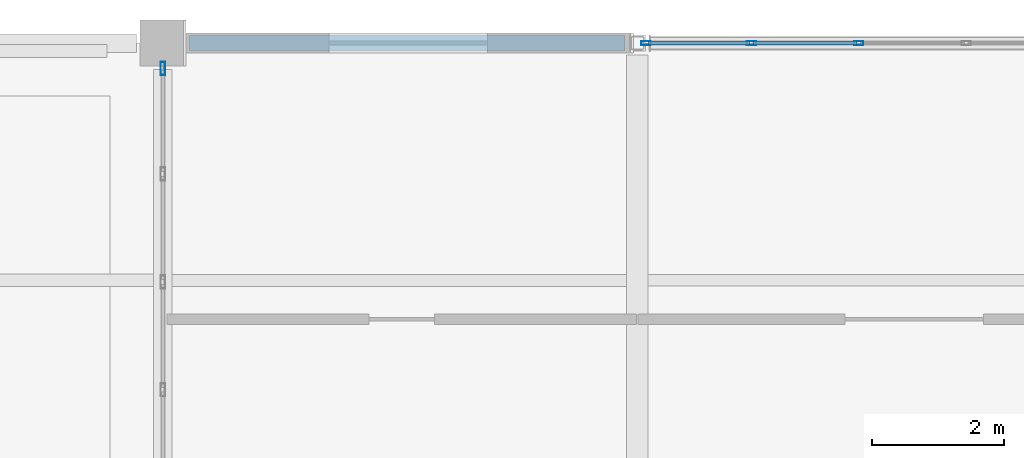
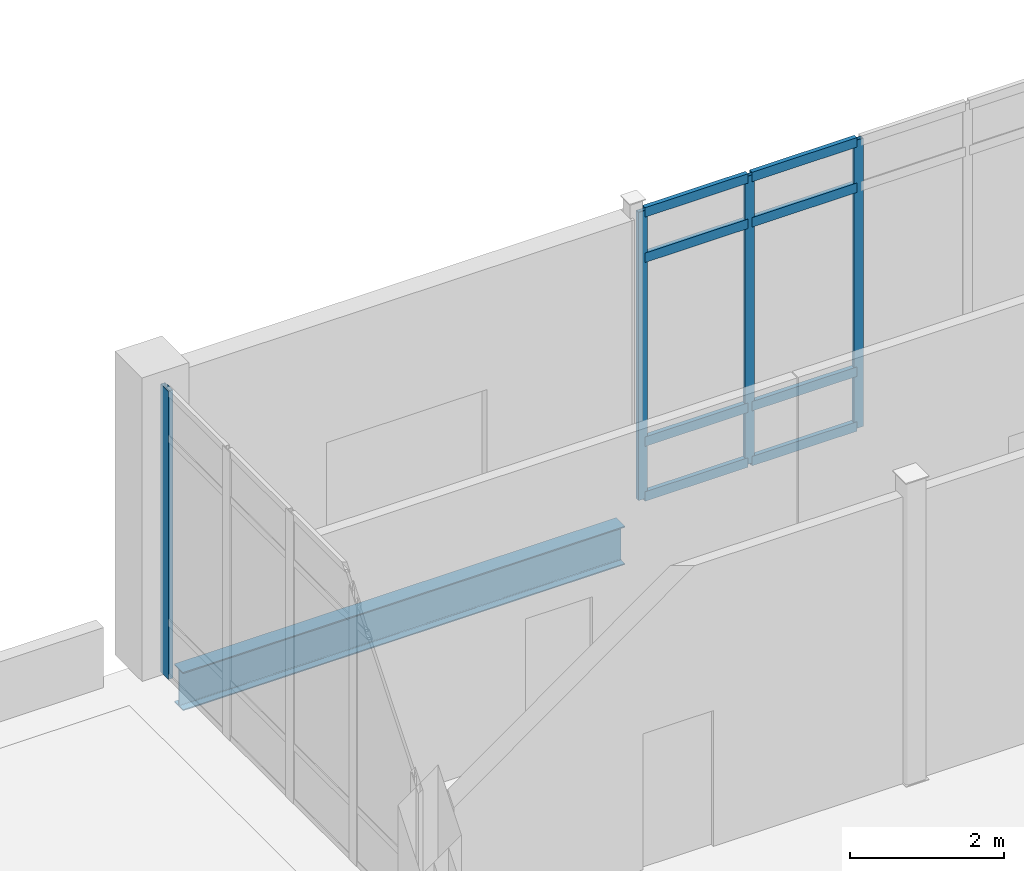
# One storey, part 61 of 153: 12 members, 1 beam, 2 elements without a shape of their own.
"""IFC4 building model written with IfcOpenShell, lengths in metres."""

import ifcopenshell
import ifcopenshell.guid

model = None  # the IFC model being written
_history = None  # IfcOwnerHistory: only IFC2X3 demands one
_inside = {}  # id of a spatial element -> (the spatial element, [elements in it])
_under = {}  # id of a project, library or spatial element -> (it, [spatial elements below it])
_declared = {}  # id of a project -> (the project, [libraries it declares])
_typed = {}  # id of a type object -> (the type object, [elements of that type])
_made_of = {}  # id of a material, layer set ... -> (it, [elements and type objects made of it])


def new_model(schema):
    """Start an empty IFC model of exactly this schema.

    Asked for "IFC4X3", IfcOpenShell would pick the latest addendum, in which some entities
    have other attributes; the version numbers below select the first issue.
    IFC2X3 requires an IfcOwnerHistory on every rooted entity: one is made here for all.
    """
    global model, _history
    if schema == "IFC4X3":
        model = ifcopenshell.file(schema_version=(4, 3, 0, 0))
    else:
        model = ifcopenshell.file(schema=schema)
    _inside.clear()
    _under.clear()
    _declared.clear()
    _typed.clear()
    _made_of.clear()
    _history = None
    if model.schema == "IFC2X3":
        org = make("IfcOrganization", Name="unknown")
        user = make(
            "IfcPersonAndOrganization",
            ThePerson=make("IfcPerson", FamilyName="unknown"),
            TheOrganization=org,
        )
        app = make(
            "IfcApplication",
            ApplicationDeveloper=org,
            Version="unknown",
            ApplicationFullName="unknown",
            ApplicationIdentifier="unknown",
        )
        _history = make(
            "IfcOwnerHistory",
            OwningUser=user,
            OwningApplication=app,
            ChangeAction="ADDED",
            CreationDate=0,
        )
    return model


def make(cls, **values):
    """One entity of the class cls with the attributes given. An attribute that is None is left unset."""
    return model.create_entity(
        cls, **{name: value for name, value in values.items() if value is not None}
    )


def rooted(cls, **values):
    """An entity with a GlobalId (a new one), such as an element, a storey or a relation."""
    return make(cls, GlobalId=ifcopenshell.guid.new(), OwnerHistory=_history, **values)


def si_unit(unit_type, name, prefix=None):
    """IfcSIUnit, for example si_unit("LENGTHUNIT", "METRE", prefix="MILLI")."""
    return make("IfcSIUnit", UnitType=unit_type, Prefix=prefix, Name=name)


def assignment(units):
    """IfcUnitAssignment: the units of a project."""
    return None if units is None else make("IfcUnitAssignment", Units=units)


def point(xyz):
    """IfcCartesianPoint."""
    return None if xyz is None else make("IfcCartesianPoint", Coordinates=xyz)


def direction(xyz):
    """IfcDirection."""
    return None if xyz is None else make("IfcDirection", DirectionRatios=xyz)


def frame(location, z_axis=None, x_axis=None):
    """IfcAxis2Placement3D, a coordinate frame: its origin and axes. An axis left out is left unset."""
    return make(
        "IfcAxis2Placement3D",
        Location=point(location),
        Axis=direction(z_axis),
        RefDirection=direction(x_axis),
    )


def frame_2d(location, x_axis=None):
    """IfcAxis2Placement2D, a coordinate frame in the plane: its origin and x axis."""
    return make(
        "IfcAxis2Placement2D", Location=point(location), RefDirection=direction(x_axis)
    )


def origin():
    """The frame at (0, 0, 0) with its axes left unset."""
    return frame((0.0, 0.0, 0.0))


def origin_2d():
    """The frame at (0, 0) in the plane with its x axis left unset."""
    return frame_2d((0.0, 0.0))


def place(relative_to, where):
    """IfcLocalPlacement: puts the frame where relative to a parent placement (None: the world)."""
    return make(
        "IfcLocalPlacement", PlacementRelTo=relative_to, RelativePlacement=where
    )


def context(
    kind, dimensions, precision=None, world=None, true_north=None, identifier=None
):
    """IfcGeometricRepresentationContext, for example the 3D "Model" context."""
    return make(
        "IfcGeometricRepresentationContext",
        ContextIdentifier=identifier,
        ContextType=kind,
        CoordinateSpaceDimension=dimensions,
        Precision=precision,
        WorldCoordinateSystem=world,
        TrueNorth=true_north,
    )


def subcontext(parent, identifier, kind, view, scale=None):
    """IfcGeometricRepresentationSubContext, for example "Body" below "Model"."""
    return make(
        "IfcGeometricRepresentationSubContext",
        ContextIdentifier=identifier,
        ContextType=kind,
        ParentContext=parent,
        TargetScale=scale,
        TargetView=view,
    )


def project(units=None, contexts=None):
    """IfcProject with its units and contexts."""
    return rooted(
        "IfcProject",
        Name="project",
        RepresentationContexts=contexts,
        UnitsInContext=assignment(units),
    )


def spatial(cls, under=None, at=None, **own):
    """A site, building, storey or space (cls), placed at a placement, below another one or the project."""
    s = rooted(cls, ObjectPlacement=at, **own)
    if under is not None:
        _under.setdefault(under.id(), (under, []))[1].append(s)
    return s


def profile(cls, at=None, kind="AREA", **sizes):
    """A parametric profile (cls). Its sizes go by their IFC names, for example OverallWidth=200.0."""
    return make(cls, ProfileType=kind, Position=at, **sizes)


def hollow_rectangle(**sizes):
    """IfcRectangleHollowProfileDef."""
    return profile("IfcRectangleHollowProfileDef", **sizes)


def i_section(**sizes):
    """IfcIShapeProfileDef."""
    return profile("IfcIShapeProfileDef", **sizes)


def extrude(swept, where, along, depth):
    """IfcExtrudedAreaSolid: the profile swept, set in the frame where, extruded along a direction by depth."""
    return make(
        "IfcExtrudedAreaSolid",
        SweptArea=swept,
        Position=where,
        ExtrudedDirection=direction(along),
        Depth=depth,
    )


def shape(context_of_items, identifier, shape_type, items):
    """IfcShapeRepresentation: the items that make up one representation, for example the "Body"."""
    return make(
        "IfcShapeRepresentation",
        ContextOfItems=context_of_items,
        RepresentationIdentifier=identifier,
        RepresentationType=shape_type,
        Items=items,
    )


def material(Name=None, Category=None):
    """IfcMaterial."""
    return make("IfcMaterial", Name=Name, Category=Category)


def layer(
    of_material, thickness, ventilated=None, Name=None, Category=None, Priority=None
):
    """IfcMaterialLayer: one layer of a wall or slab, of a material (None: an air gap)."""
    return make(
        "IfcMaterialLayer",
        Material=of_material,
        LayerThickness=thickness,
        IsVentilated=ventilated,
        Name=Name,
        Category=Category,
        Priority=Priority,
    )


def layer_set(layers, Name=None):
    """IfcMaterialLayerSet."""
    return make("IfcMaterialLayerSet", MaterialLayers=layers, LayerSetName=Name)


def material_profile(
    of_material, cross_section, Name=None, Category=None, Priority=None
):
    """IfcMaterialProfile: a cross section and its material."""
    return make(
        "IfcMaterialProfile",
        Name=Name,
        Material=of_material,
        Profile=cross_section,
        Priority=Priority,
        Category=Category,
    )


def profile_set(profiles, Name=None, composite=None):
    """IfcMaterialProfileSet."""
    return make(
        "IfcMaterialProfileSet",
        Name=Name,
        MaterialProfiles=profiles,
        CompositeProfile=composite,
    )


def made_of(thing, what):
    """Note that an element or type object is made of a material, layer set ...; save() writes the relation."""
    if what is not None:
        _made_of.setdefault(what.id(), (what, []))[1].append(thing)
    return thing


def type_object(cls, material=None, **own):
    """A type object (cls), such as IfcWallType, which elements share."""
    return made_of(rooted(cls, **own), material)


def element(
    cls,
    number,
    at=None,
    inside=None,
    cuts=None,
    type_object=None,
    material=None,
    context=None,
    identifier="Body",
    shape_type=None,
    held_by="IfcProductDefinitionShape",
    body=None,
    shapes=None,
    **own,
):
    """One element of the class cls, such as IfcWall. Its Tag is "e" and its number.

    at: its placement. inside: the storey or other place that contains it. cuts: it is an
    opening in that element (IfcRelVoidsElement). A single representation is given by context,
    identifier, shape_type and body (its items); several are given by shapes. held_by: the class
    of the entity that holds the representations. save() writes the other relations.
    """
    e = rooted(cls, Tag="e%d" % number, ObjectPlacement=at, **own)
    if body is not None:
        shapes = [shape(context, identifier, shape_type, body)]
    if shapes is not None:
        e.Representation = make(held_by, Representations=shapes)
    if inside is not None:
        _inside.setdefault(inside.id(), (inside, []))[1].append(e)
    if cuts is not None:
        rooted(
            "IfcRelVoidsElement", RelatingBuildingElement=cuts, RelatedOpeningElement=e
        )
    if type_object is not None:
        _typed.setdefault(type_object.id(), (type_object, []))[1].append(e)
    return made_of(e, material)


def aggregate(whole, parts):
    """IfcRelAggregates: a whole, such as a stair, and the parts it consists of."""
    return rooted("IfcRelAggregates", RelatingObject=whole, RelatedObjects=parts)


def save(model, path):
    """Write the relations noted so far, then the file.

    IfcRelAggregates (storeys below a building ...), IfcRelContainedInSpatialStructure (elements
    in a storey), IfcRelDefinesByType, IfcRelAssociatesMaterial and IfcRelDeclares: one each for
    every whole, place, type object, material and project.
    """
    for whole, parts in _under.values():
        aggregate(whole, parts)
    for where, things in _inside.values():
        rooted(
            "IfcRelContainedInSpatialStructure",
            RelatedElements=things,
            RelatingStructure=where,
        )
    for kind, things in _typed.values():
        rooted("IfcRelDefinesByType", RelatedObjects=things, RelatingType=kind)
    for what, things in _made_of.values():
        rooted("IfcRelAssociatesMaterial", RelatedObjects=things, RelatingMaterial=what)
    for by, libraries in _declared.values():
        rooted("IfcRelDeclares", RelatingContext=by, RelatedDefinitions=libraries)
    model.write(path)


model = new_model("IFC4")

# Units and contexts
model_context = context("Model", 3, precision=1e-05, world=origin(), true_north=direction((0.0, 1.0)))
body_context = subcontext(model_context, "Body", "Model", "MODEL_VIEW")
ifc_project = project(units=[si_unit("LENGTHUNIT", "METRE"), si_unit("AREAUNIT", "SQUARE_METRE"), si_unit("VOLUMEUNIT", "CUBIC_METRE"), si_unit("PLANEANGLEUNIT", "RADIAN"), si_unit("MASSUNIT", "GRAM", prefix="KILO")], contexts=[model_context])

# Site, building, storey
site_placement = place(None, origin())
site = spatial("IfcSite", under=ifc_project, at=site_placement, CompositionType="ELEMENT")
building_placement = place(site_placement, origin())
building = spatial("IfcBuilding", under=site, at=building_placement, Name="Calvrana Isthmian Art Gallery", CompositionType="ELEMENT")
storey_placement = place(building_placement, frame((0.0, 0.0, 10.199951171875)))
storey = spatial("IfcBuildingStorey", under=building, at=storey_placement, Name="L02", CompositionType="ELEMENT", Elevation=10.199951171875)

# Beam
ifc_material_1 = material(Name="Steel ASTM A992 Gr 50", Category="steel")
ifc_material_profile_1 = material_profile(ifc_material_1, i_section(OverallWidth=0.22802734375, OverallDepth=0.60693359375, WebThickness=0.01123046875, FlangeThickness=0.017333984375, FilletRadius=0.02197265625, at=origin_2d()), Name="W24X76")
ifc_profile_set_1 = profile_set([ifc_material_profile_1], Name="Steel ASTM A992 Gr 50")
beam_type = type_object("IfcBeamType", Name="BM-G-W24X76", PredefinedType="BEAM", material=ifc_profile_set_1)
beam_placement = place(storey_placement, frame((14.800048828125, 112.800048828125, -0.568359375), z_axis=(1.0, 0.0, 0.0), x_axis=(0.0, 1.0, 0.0)))
element("IfcBeam", 1, at=beam_placement, inside=storey, type_object=beam_type, Name="Girder X L02 03-04/P", PredefinedType="BEAM", context=body_context, shape_type="SweptSolid", body=[
    extrude(i_section(OverallWidth=0.22802734375, OverallDepth=0.60693359375, WebThickness=0.01123046875, FlangeThickness=0.017333984375, FilletRadius=0.02197265625, at=origin_2d()), origin(), (0.0, 0.0, 1.0), 6.613525390625),
])

# Curtain wall, members
ifc_material_2 = material(Name="Anodized bronze aluminium 6063-T6", Category="aluminium")
ifc_layer_1 = layer(ifc_material_2, 0.179931640625, Name="Anodized bronze aluminium 6063-T6")
ifc_layer_set_1 = layer_set([ifc_layer_1], Name="Anodized bronze aluminium 6063-T6")
curtain_wall_type_1 = type_object("IfcCurtainWallType", Name="CW-STICK-081X46", PredefinedType="NOTDEFINED", material=ifc_layer_set_1)
curtain_wall_1_placement = place(storey_placement, origin())
curtain_wall_1 = element("IfcCurtainWall", 2, at=curtain_wall_1_placement, inside=storey, type_object=curtain_wall_type_1, Name="Curtain wall CW-162", PredefinedType="NOTDEFINED")
ifc_material_profile_2 = material_profile(ifc_material_2, hollow_rectangle(XDim=0.06005859375, YDim=0.139892578125, WallThickness=0.00390625, at=origin_2d()), Name="CWM60X140")
ifc_profile_set_2 = profile_set([ifc_material_profile_2], Name="Anodized bronze aluminium 6063-T6")
member_type_1 = type_object("IfcMemberType", Name="CWM-CWM60X140", PredefinedType="MULLION", material=ifc_profile_set_2)
member_1_placement = place(storey_placement, frame((21.731689453125, 112.800048828125, 0.0), z_axis=(0.0, 0.0, 1.0), x_axis=(0.0, 1.0, 0.0)))
member_1 = element("IfcMember", 3, at=member_1_placement, type_object=member_type_1, Name="CW-162 mullion 1", PredefinedType="MULLION", context=body_context, shape_type="SweptSolid", body=[
    extrude(hollow_rectangle(XDim=0.06005859375, YDim=0.139892578125, WallThickness=0.00390625, at=origin_2d()), origin(), (0.0, 0.0, 1.0), 4.56005859375),
])
member_2_placement = place(storey_placement, frame((23.330810546875, 112.800048828125, 0.0), z_axis=(0.0, 0.0, 1.0), x_axis=(0.0, 1.0, 0.0)))
member_2 = element("IfcMember", 4, at=member_2_placement, type_object=member_type_1, Name="CW-162 mullion 2", PredefinedType="MULLION", context=body_context, shape_type="SweptSolid", body=[
    extrude(hollow_rectangle(XDim=0.06005859375, YDim=0.139892578125, WallThickness=0.00390625, at=origin_2d()), origin(), (0.0, 0.0, 1.0), 4.56005859375),
])
member_3_placement = place(storey_placement, frame((24.9599609375, 112.800048828125, 0.0), z_axis=(0.0, 0.0, 1.0), x_axis=(0.0, 1.0, 0.0)))
member_3 = element("IfcMember", 5, at=member_3_placement, type_object=member_type_1, Name="CW-162 mullion 3", PredefinedType="MULLION", context=body_context, shape_type="SweptSolid", body=[
    extrude(hollow_rectangle(XDim=0.06005859375, YDim=0.139892578125, WallThickness=0.00390625, at=origin_2d()), origin(), (0.0, 0.0, 1.0), 4.56005859375),
])

# Curtain wall, member
ifc_layer_2 = layer(ifc_material_2, 0.179931640625, Name="Anodized bronze aluminium 6063-T6")
ifc_layer_set_2 = layer_set([ifc_layer_2], Name="Anodized bronze aluminium 6063-T6")
curtain_wall_type_2 = type_object("IfcCurtainWallType", Name="CW-STICK-065X46", PredefinedType="NOTDEFINED", material=ifc_layer_set_2)
curtain_wall_2_placement = place(storey_placement, origin())
curtain_wall_2 = element("IfcCurtainWall", 6, at=curtain_wall_2_placement, inside=storey, type_object=curtain_wall_type_2, Name="Curtain wall CW-165", PredefinedType="NOTDEFINED")
ifc_material_profile_3 = material_profile(ifc_material_2, hollow_rectangle(XDim=0.070068359375, YDim=0.199951171875, WallThickness=0.0048828125, at=origin_2d()), Name="CWM70X200")
ifc_profile_set_3 = profile_set([ifc_material_profile_3], Name="Anodized bronze aluminium 6063-T6")
member_type_2 = type_object("IfcMemberType", Name="CWM-CWM70X200", PredefinedType="MULLION", material=ifc_profile_set_3)
member_4_placement = place(storey_placement, frame((14.39990234375, 112.4150390625, 0.0), z_axis=(0.0, 0.0, 1.0), x_axis=(-1.0, 0.0, 0.0)))
member_4 = element("IfcMember", 7, at=member_4_placement, type_object=member_type_2, Name="CW-165 mullion 5", PredefinedType="MULLION", context=body_context, shape_type="SweptSolid", body=[
    extrude(hollow_rectangle(XDim=0.070068359375, YDim=0.199951171875, WallThickness=0.0048828125, at=origin_2d()), origin(), (0.0, 0.0, 1.0), 4.56005859375),
])
aggregate(curtain_wall_2, [member_4])

# Member
ifc_material_profile_4 = material_profile(ifc_material_2, hollow_rectangle(XDim=0.06494140625, YDim=0.14990234375, WallThickness=0.00390625, at=origin_2d()), Name="CWT65X150")
ifc_profile_set_4 = profile_set([ifc_material_profile_4], Name="Anodized bronze aluminium 6063-T6")
member_type_3 = type_object("IfcMemberType", Name="CWT-CWT65X150", PredefinedType="USERDEFINED", material=ifc_profile_set_4)
member_5_placement = place(storey_placement, frame((21.76171875, 112.800048828125, 0.032470703125), z_axis=(1.0, 0.0, 0.0), x_axis=(0.0, 1.0, 0.0)))
member_5 = element("IfcMember", 8, at=member_5_placement, type_object=member_type_3, Name="CW-162 transom 1.1", ObjectType="TRANSOM", PredefinedType="USERDEFINED", context=body_context, shape_type="SweptSolid", body=[
    extrude(hollow_rectangle(XDim=0.06494140625, YDim=0.14990234375, WallThickness=0.00390625, at=origin_2d()), origin(), (0.0, 0.0, 1.0), 1.5390625),
])

member_6_placement = place(storey_placement, frame((21.76171875, 112.800048828125, 0.900146484375), z_axis=(1.0, 0.0, 0.0), x_axis=(0.0, 1.0, 0.0)))
member_6 = element("IfcMember", 9, at=member_6_placement, type_object=member_type_3, Name="CW-162 transom 1.2", ObjectType="TRANSOM", PredefinedType="USERDEFINED", context=body_context, shape_type="SweptSolid", body=[
    extrude(hollow_rectangle(XDim=0.06494140625, YDim=0.14990234375, WallThickness=0.00390625, at=origin_2d()), origin(), (0.0, 0.0, 1.0), 1.5390625),
])

member_7_placement = place(storey_placement, frame((21.76171875, 112.800048828125, 3.81005859375), z_axis=(1.0, 0.0, 0.0), x_axis=(0.0, 1.0, 0.0)))
member_7 = element("IfcMember", 10, at=member_7_placement, type_object=member_type_3, Name="CW-162 transom 1.3", ObjectType="TRANSOM", PredefinedType="USERDEFINED", context=body_context, shape_type="SweptSolid", body=[
    extrude(hollow_rectangle(XDim=0.06494140625, YDim=0.14990234375, WallThickness=0.00390625, at=origin_2d()), origin(), (0.0, 0.0, 1.0), 1.5390625),
])

member_8_placement = place(storey_placement, frame((21.76171875, 112.800048828125, 4.527587890625), z_axis=(1.0, 0.0, 0.0), x_axis=(0.0, 1.0, 0.0)))
member_8 = element("IfcMember", 11, at=member_8_placement, type_object=member_type_3, Name="CW-162 transom 1.4", ObjectType="TRANSOM", PredefinedType="USERDEFINED", context=body_context, shape_type="SweptSolid", body=[
    extrude(hollow_rectangle(XDim=0.06494140625, YDim=0.14990234375, WallThickness=0.00390625, at=origin_2d()), origin(), (0.0, 0.0, 1.0), 1.5390625),
])

member_9_placement = place(storey_placement, frame((23.36083984375, 112.800048828125, 0.032470703125), z_axis=(1.0, 0.0, 0.0), x_axis=(0.0, 1.0, 0.0)))
member_9 = element("IfcMember", 12, at=member_9_placement, type_object=member_type_3, Name="CW-162 transom 2.1", ObjectType="TRANSOM", PredefinedType="USERDEFINED", context=body_context, shape_type="SweptSolid", body=[
    extrude(hollow_rectangle(XDim=0.06494140625, YDim=0.14990234375, WallThickness=0.00390625, at=origin_2d()), origin(), (0.0, 0.0, 1.0), 1.569091796875),
])

member_10_placement = place(storey_placement, frame((23.36083984375, 112.800048828125, 0.900146484375), z_axis=(1.0, 0.0, 0.0), x_axis=(0.0, 1.0, 0.0)))
member_10 = element("IfcMember", 13, at=member_10_placement, type_object=member_type_3, Name="CW-162 transom 2.2", ObjectType="TRANSOM", PredefinedType="USERDEFINED", context=body_context, shape_type="SweptSolid", body=[
    extrude(hollow_rectangle(XDim=0.06494140625, YDim=0.14990234375, WallThickness=0.00390625, at=origin_2d()), origin(), (0.0, 0.0, 1.0), 1.569091796875),
])

member_11_placement = place(storey_placement, frame((23.36083984375, 112.800048828125, 3.81005859375), z_axis=(1.0, 0.0, 0.0), x_axis=(0.0, 1.0, 0.0)))
member_11 = element("IfcMember", 14, at=member_11_placement, type_object=member_type_3, Name="CW-162 transom 2.3", ObjectType="TRANSOM", PredefinedType="USERDEFINED", context=body_context, shape_type="SweptSolid", body=[
    extrude(hollow_rectangle(XDim=0.06494140625, YDim=0.14990234375, WallThickness=0.00390625, at=origin_2d()), origin(), (0.0, 0.0, 1.0), 1.569091796875),
])

member_12_placement = place(storey_placement, frame((23.36083984375, 112.800048828125, 4.527587890625), z_axis=(1.0, 0.0, 0.0), x_axis=(0.0, 1.0, 0.0)))
member_12 = element("IfcMember", 15, at=member_12_placement, type_object=member_type_3, Name="CW-162 transom 2.4", ObjectType="TRANSOM", PredefinedType="USERDEFINED", context=body_context, shape_type="SweptSolid", body=[
    extrude(hollow_rectangle(XDim=0.06494140625, YDim=0.14990234375, WallThickness=0.00390625, at=origin_2d()), origin(), (0.0, 0.0, 1.0), 1.569091796875),
])

aggregate(curtain_wall_1, [member_1, member_2, member_3, member_5, member_6, member_7, member_8, member_9, member_10, member_11, member_12])

save(model, "model.ifc")
